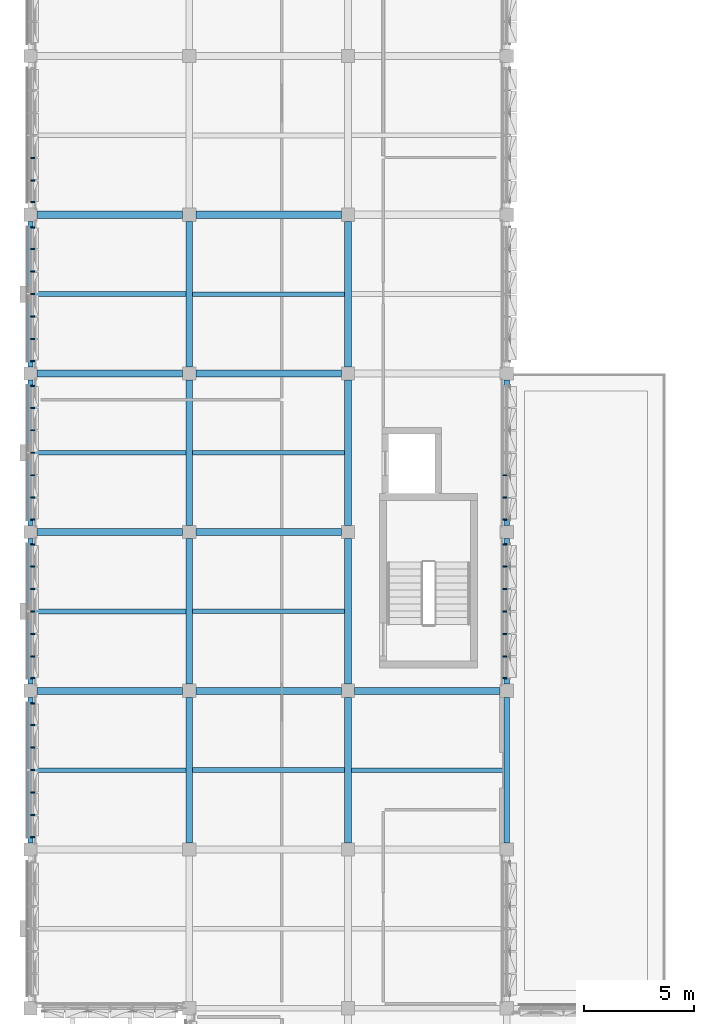
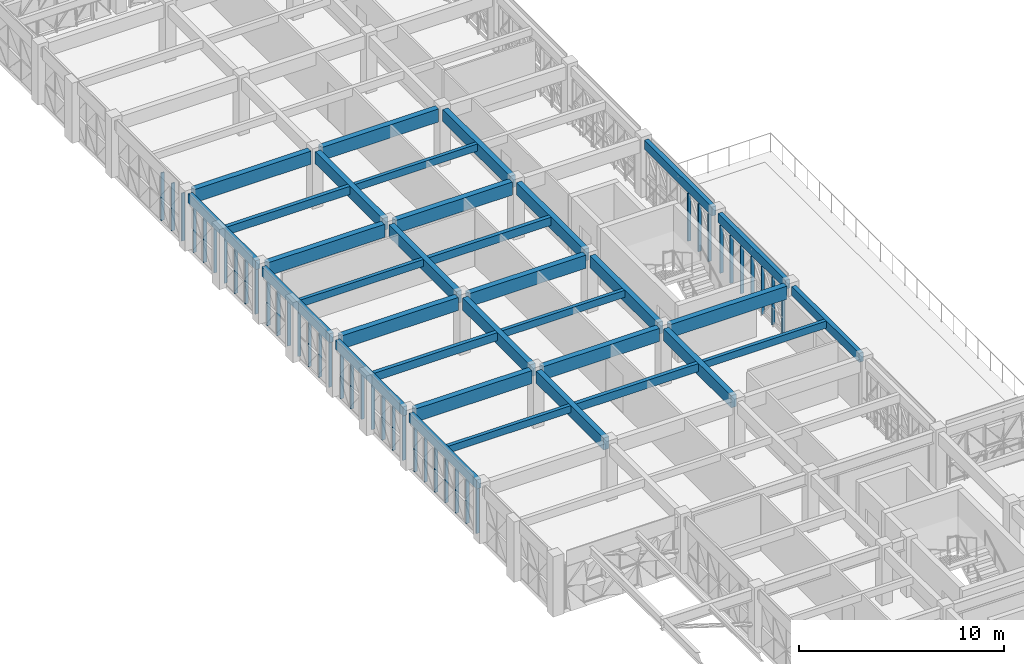
# One storey, part 15 of 99: 41 members, 33 beams, 7 elements without a shape of their own.
"""IFC4 building model written with IfcOpenShell, lengths in metres."""

from ifc_helpers import new_model, si_unit, direction, frame, origin, origin_2d, place, context, subcontext, project, spatial, rectangle, extrude, material, material_profile, profile_set, type_object, element, aggregate, save


model = new_model("IFC4")

# Units and contexts
model_context = context("Model", 3, precision=1e-05, world=origin(), true_north=direction((0.0, 1.0)))
body_context = subcontext(model_context, "Body", "Model", "MODEL_VIEW")
ifc_project = project(units=[si_unit("LENGTHUNIT", "METRE"), si_unit("AREAUNIT", "SQUARE_METRE"), si_unit("VOLUMEUNIT", "CUBIC_METRE"), si_unit("PLANEANGLEUNIT", "RADIAN"), si_unit("MASSUNIT", "GRAM", prefix="KILO")], contexts=[model_context])

# Site, building, storey
site_placement = place(None, origin())
site = spatial("IfcSite", under=ifc_project, at=site_placement, CompositionType="ELEMENT")
building_placement = place(site_placement, origin())
building = spatial("IfcBuilding", under=site, at=building_placement, Name="Alvorim Cloister Faculty of Sciences", CompositionType="ELEMENT")
storey_placement = place(building_placement, frame((0.0, 0.0, 12.14990234375)))
storey = spatial("IfcBuildingStorey", under=building, at=storey_placement, Name="L03", CompositionType="ELEMENT", Elevation=12.14990234375)

# Beams
ifc_material_1 = material(Name="Glulam GL32h", Category="wood")
ifc_material_profile_1 = material_profile(ifc_material_1, rectangle(XDim=0.300048828125, YDim=0.719970703125, at=origin_2d()), Name="GL32-BM-300x720")
ifc_profile_set_1 = profile_set([ifc_material_profile_1], Name="Glulam GL32h")
beam_type_1 = type_object("IfcBeamType", Name="BM-GL-300x720", PredefinedType="BEAM", material=ifc_profile_set_1)
beam_1_placement = place(storey_placement, frame((7.199951171875, 63.89990234375, 3.030029296875), z_axis=(0.0, 1.0, 0.0), x_axis=(-1.0, 0.0, 0.0)))
element("IfcBeam", 1, at=beam_1_placement, inside=storey, type_object=beam_type_1, Name="L03 Primary Girder BM-1595", PredefinedType="BEAM", context=body_context, shape_type="SweptSolid", body=[
    extrude(rectangle(XDim=0.300048828125, YDim=0.719970703125, at=origin_2d()), origin(), (0.0, 0.0, 1.0), 6.60009765625),
])
for number, where, z_axis, x_axis, name in (
    (2, (7.199951171875, 71.10009765625, 3.030029296875), (0.0, 1.0, 0.0), (-1.0, 0.0, 0.0), "L03 Primary Girder BM-1596"),
    (3, (7.199951171875, 78.300048828125, 3.030029296875), (0.0, 1.0, 0.0), (-1.0, 0.0, 0.0), "L03 Primary Girder BM-1597"),
):
    element("IfcBeam", number, at=place(storey_placement, frame(where, z_axis=z_axis, x_axis=x_axis)), inside=storey, type_object=beam_type_1, Name=name, PredefinedType="BEAM", context=body_context, shape_type="SweptSolid", body=[
        extrude(rectangle(XDim=0.300048828125, YDim=0.719970703125, at=origin_2d()), origin(), (0.0, 0.0, 1.0), 6.599853515625),
    ])
for number, where, z_axis, x_axis, name in (
    (4, (7.199951171875, 85.5, 3.030029296875), (0.0, 1.0, 0.0), (-1.0, 0.0, 0.0), "L03 Primary Girder BM-1598"),
    (5, (14.39990234375, 63.89990234375, 3.030029296875), (0.0, 1.0, 0.0), (-1.0, 0.0, 0.0), "L03 Primary Girder BM-1611"),
):
    element("IfcBeam", number, at=place(storey_placement, frame(where, z_axis=z_axis, x_axis=x_axis)), inside=storey, type_object=beam_type_1, Name=name, PredefinedType="BEAM", context=body_context, shape_type="SweptSolid", body=[
        extrude(rectangle(XDim=0.300048828125, YDim=0.719970703125, at=origin_2d()), origin(), (0.0, 0.0, 1.0), 6.60009765625),
    ])
for number, where, z_axis, x_axis, name in (
    (6, (14.39990234375, 71.10009765625, 3.030029296875), (0.0, 1.0, 0.0), (-1.0, 0.0, 0.0), "L03 Primary Girder BM-1612"),
    (7, (14.39990234375, 78.300048828125, 3.030029296875), (0.0, 1.0, 0.0), (-1.0, 0.0, 0.0), "L03 Primary Girder BM-1613"),
):
    element("IfcBeam", number, at=place(storey_placement, frame(where, z_axis=z_axis, x_axis=x_axis)), inside=storey, type_object=beam_type_1, Name=name, PredefinedType="BEAM", context=body_context, shape_type="SweptSolid", body=[
        extrude(rectangle(XDim=0.300048828125, YDim=0.719970703125, at=origin_2d()), origin(), (0.0, 0.0, 1.0), 6.599853515625),
    ])
beam_2_placement = place(storey_placement, frame((14.39990234375, 85.5, 3.030029296875), z_axis=(0.0, 1.0, 0.0), x_axis=(-1.0, 0.0, 0.0)))
element("IfcBeam", 8, at=beam_2_placement, inside=storey, type_object=beam_type_1, Name="L03 Primary Girder BM-1614", PredefinedType="BEAM", context=body_context, shape_type="SweptSolid", body=[
    extrude(rectangle(XDim=0.300048828125, YDim=0.719970703125, at=origin_2d()), origin(), (0.0, 0.0, 1.0), 6.60009765625),
])
ifc_material_profile_2 = material_profile(ifc_material_1, rectangle(XDim=0.320068359375, YDim=0.780029296875, at=origin_2d()), Name="GL32-BM-320x780")
ifc_profile_set_2 = profile_set([ifc_material_profile_2], Name="Glulam GL32h")
beam_type_2 = type_object("IfcBeamType", Name="BM-GL-320x780", PredefinedType="BEAM", material=ifc_profile_set_2)
beam_3_placement = place(storey_placement, frame((0.300048828125, 70.800048828125, 3.0), z_axis=(1.0, 0.0, 0.0), x_axis=(0.0, 1.0, 0.0)))
element("IfcBeam", 9, at=beam_3_placement, inside=storey, type_object=beam_type_2, Name="L03 Primary Beam BM-1556", PredefinedType="BEAM", context=body_context, shape_type="SweptSolid", body=[
    extrude(rectangle(XDim=0.320068359375, YDim=0.780029296875, at=origin_2d()), origin(), (0.0, 0.0, 1.0), 6.599853515625),
])
for number, where, z_axis, x_axis, name in (
    (10, (7.5, 70.800048828125, 3.0), (1.0, 0.0, 0.0), (0.0, 1.0, 0.0), "L03 Primary Beam BM-1557"),
    (11, (14.699951171875, 70.800048828125, 3.0), (1.0, 0.0, 0.0), (0.0, 1.0, 0.0), "L03 Primary Beam BM-1558"),
):
    element("IfcBeam", number, at=place(storey_placement, frame(where, z_axis=z_axis, x_axis=x_axis)), inside=storey, type_object=beam_type_2, Name=name, PredefinedType="BEAM", context=body_context, shape_type="SweptSolid", body=[
        extrude(rectangle(XDim=0.320068359375, YDim=0.780029296875, at=origin_2d()), origin(), (0.0, 0.0, 1.0), 6.60009765625),
    ])
beam_4_placement = place(storey_placement, frame((0.300048828125, 78.0, 3.0), z_axis=(1.0, 0.0, 0.0), x_axis=(0.0, 1.0, 0.0)))
element("IfcBeam", 12, at=beam_4_placement, inside=storey, type_object=beam_type_2, Name="L03 Primary Beam BM-1559", PredefinedType="BEAM", context=body_context, shape_type="SweptSolid", body=[
    extrude(rectangle(XDim=0.320068359375, YDim=0.780029296875, at=origin_2d()), origin(), (0.0, 0.0, 1.0), 6.599853515625),
])
beam_5_placement = place(storey_placement, frame((7.5, 78.0, 3.0), z_axis=(1.0, 0.0, 0.0), x_axis=(0.0, 1.0, 0.0)))
element("IfcBeam", 13, at=beam_5_placement, inside=storey, type_object=beam_type_2, Name="L03 Primary Beam BM-1560", PredefinedType="BEAM", context=body_context, shape_type="SweptSolid", body=[
    extrude(rectangle(XDim=0.320068359375, YDim=0.780029296875, at=origin_2d()), origin(), (0.0, 0.0, 1.0), 6.60009765625),
])
beam_6_placement = place(storey_placement, frame((0.300048828125, 85.199951171875, 3.0), z_axis=(1.0, 0.0, 0.0), x_axis=(0.0, 1.0, 0.0)))
element("IfcBeam", 14, at=beam_6_placement, inside=storey, type_object=beam_type_2, Name="L03 Primary Beam BM-1561", PredefinedType="BEAM", context=body_context, shape_type="SweptSolid", body=[
    extrude(rectangle(XDim=0.320068359375, YDim=0.780029296875, at=origin_2d()), origin(), (0.0, 0.0, 1.0), 6.599853515625),
])
beam_7_placement = place(storey_placement, frame((7.5, 85.199951171875, 3.0), z_axis=(1.0, 0.0, 0.0), x_axis=(0.0, 1.0, 0.0)))
element("IfcBeam", 15, at=beam_7_placement, inside=storey, type_object=beam_type_2, Name="L03 Primary Beam BM-1562", PredefinedType="BEAM", context=body_context, shape_type="SweptSolid", body=[
    extrude(rectangle(XDim=0.320068359375, YDim=0.780029296875, at=origin_2d()), origin(), (0.0, 0.0, 1.0), 6.60009765625),
])
beam_8_placement = place(storey_placement, frame((0.300048828125, 92.39990234375, 3.0), z_axis=(1.0, 0.0, 0.0), x_axis=(0.0, 1.0, 0.0)))
element("IfcBeam", 16, at=beam_8_placement, inside=storey, type_object=beam_type_2, Name="L03 Primary Beam BM-1564", PredefinedType="BEAM", context=body_context, shape_type="SweptSolid", body=[
    extrude(rectangle(XDim=0.320068359375, YDim=0.780029296875, at=origin_2d()), origin(), (0.0, 0.0, 1.0), 6.599853515625),
])
beam_9_placement = place(storey_placement, frame((7.5, 92.39990234375, 3.0), z_axis=(1.0, 0.0, 0.0), x_axis=(0.0, 1.0, 0.0)))
element("IfcBeam", 17, at=beam_9_placement, inside=storey, type_object=beam_type_2, Name="L03 Primary Beam BM-1565", PredefinedType="BEAM", context=body_context, shape_type="SweptSolid", body=[
    extrude(rectangle(XDim=0.320068359375, YDim=0.780029296875, at=origin_2d()), origin(), (0.0, 0.0, 1.0), 6.60009765625),
])
ifc_material_2 = material(Name="Glulam GL28h", Category="wood")
ifc_material_profile_3 = material_profile(ifc_material_2, rectangle(XDim=0.199951171875, YDim=0.419921875, at=origin_2d()), Name="GL28-JST-200x420")
ifc_profile_set_3 = profile_set([ifc_material_profile_3], Name="Glulam GL28h")
beam_type_3 = type_object("IfcBeamType", Name="BM-JST-GL-200x420", PredefinedType="JOIST", material=ifc_profile_set_3)
for number, where, z_axis, x_axis, name in (
    (18, (0.1201171875, 67.199951171875, 3.18017578125), (1.0, 0.0, 0.0), (0.0, 1.0, 0.0), "L03 Secondary Floor Joist BM-1669"),
    (19, (0.1201171875, 81.60009765625, 3.18017578125), (1.0, 0.0, 0.0), (0.0, 1.0, 0.0), "L03 Secondary Floor Joist BM-1671"),
):
    element("IfcBeam", number, at=place(storey_placement, frame(where, z_axis=z_axis, x_axis=x_axis)), inside=storey, type_object=beam_type_3, Name=name, PredefinedType="JOIST", context=body_context, shape_type="SweptSolid", body=[
        extrude(rectangle(XDim=0.199951171875, YDim=0.419921875, at=origin_2d()), origin(), (0.0, 0.0, 1.0), 6.929931640625),
    ])
for number, where, z_axis, x_axis, name in (
    (20, (7.35009765625, 74.39990234375, 3.18017578125), (1.0, 0.0, 0.0), (0.0, 1.0, 0.0), "L03 Secondary Floor Joist BM-1686"),
    (21, (7.35009765625, 88.800048828125, 3.18017578125), (1.0, 0.0, 0.0), (0.0, 1.0, 0.0), "L03 Secondary Floor Joist BM-1688"),
):
    element("IfcBeam", number, at=place(storey_placement, frame(where, z_axis=z_axis, x_axis=x_axis)), inside=storey, type_object=beam_type_3, Name=name, PredefinedType="JOIST", context=body_context, shape_type="SweptSolid", body=[
        extrude(rectangle(XDim=0.199951171875, YDim=0.419921875, at=origin_2d()), origin(), (0.0, 0.0, 1.0), 6.89990234375),
    ])
beam_10_placement = place(storey_placement, frame((14.550048828125, 67.199951171875, 3.18017578125), z_axis=(1.0, 0.0, 0.0), x_axis=(0.0, 1.0, 0.0)))
element("IfcBeam", 22, at=beam_10_placement, inside=storey, type_object=beam_type_3, Name="L03 Secondary Floor Joist BM-1695", PredefinedType="JOIST", context=body_context, shape_type="SweptSolid", body=[
    extrude(rectangle(XDim=0.199951171875, YDim=0.419921875, at=origin_2d()), origin(), (0.0, 0.0, 1.0), 6.929931640625),
])
ifc_material_profile_4 = material_profile(ifc_material_2, rectangle(XDim=0.219970703125, YDim=0.47998046875, at=origin_2d()), Name="GL28-JST-220x480")
ifc_profile_set_4 = profile_set([ifc_material_profile_4], Name="Glulam GL28h")
beam_type_4 = type_object("IfcBeamType", Name="BM-JST-GL-220x480", PredefinedType="JOIST", material=ifc_profile_set_4)
for number, where, z_axis, x_axis, name in (
    (23, (0.1201171875, 74.39990234375, 3.150146484375), (1.0, 0.0, 0.0), (0.0, 1.0, 0.0), "L03 Secondary Floor Joist BM-1670"),
    (24, (0.1201171875, 88.800048828125, 3.150146484375), (1.0, 0.0, 0.0), (0.0, 1.0, 0.0), "L03 Secondary Floor Joist BM-1672"),
):
    element("IfcBeam", number, at=place(storey_placement, frame(where, z_axis=z_axis, x_axis=x_axis)), inside=storey, type_object=beam_type_4, Name=name, PredefinedType="JOIST", context=body_context, shape_type="SweptSolid", body=[
        extrude(rectangle(XDim=0.219970703125, YDim=0.47998046875, at=origin_2d()), origin(), (0.0, 0.0, 1.0), 6.929931640625),
    ])
for number, where, z_axis, x_axis, name in (
    (25, (7.35009765625, 67.199951171875, 3.150146484375), (1.0, 0.0, 0.0), (0.0, 1.0, 0.0), "L03 Secondary Floor Joist BM-1685"),
    (26, (7.35009765625, 81.60009765625, 3.150146484375), (1.0, 0.0, 0.0), (0.0, 1.0, 0.0), "L03 Secondary Floor Joist BM-1687"),
):
    element("IfcBeam", number, at=place(storey_placement, frame(where, z_axis=z_axis, x_axis=x_axis)), inside=storey, type_object=beam_type_4, Name=name, PredefinedType="JOIST", context=body_context, shape_type="SweptSolid", body=[
        extrude(rectangle(XDim=0.219970703125, YDim=0.47998046875, at=origin_2d()), origin(), (0.0, 0.0, 1.0), 6.89990234375),
    ])
ifc_material_profile_5 = material_profile(ifc_material_2, rectangle(XDim=0.239990234375, YDim=0.5400390625, at=origin_2d()), Name="GL28-SPD-240x540")
ifc_profile_set_5 = profile_set([ifc_material_profile_5], Name="Glulam GL28h")
beam_type_5 = type_object("IfcBeamType", Name="BM-SPD-GL-240x540", PredefinedType="SPANDREL", material=ifc_profile_set_5)
beam_11_placement = place(storey_placement, frame((0.0, 63.89990234375, 3.1201171875), z_axis=(0.0, 1.0, 0.0), x_axis=(-1.0, 0.0, 0.0)))
element("IfcBeam", 27, at=beam_11_placement, inside=storey, type_object=beam_type_5, Name="L03 Primary Girder BM-1579", PredefinedType="SPANDREL", context=body_context, shape_type="SweptSolid", body=[
    extrude(rectangle(XDim=0.239990234375, YDim=0.5400390625, at=origin_2d()), origin(), (0.0, 0.0, 1.0), 6.60009765625),
])
for number, where, z_axis, x_axis, name in (
    (28, (0.0, 71.10009765625, 3.1201171875), (0.0, 1.0, 0.0), (-1.0, 0.0, 0.0), "L03 Primary Girder BM-1580"),
    (29, (0.0, 78.300048828125, 3.1201171875), (0.0, 1.0, 0.0), (-1.0, 0.0, 0.0), "L03 Primary Girder BM-1581"),
):
    element("IfcBeam", number, at=place(storey_placement, frame(where, z_axis=z_axis, x_axis=x_axis)), inside=storey, type_object=beam_type_5, Name=name, PredefinedType="SPANDREL", context=body_context, shape_type="SweptSolid", body=[
        extrude(rectangle(XDim=0.239990234375, YDim=0.5400390625, at=origin_2d()), origin(), (0.0, 0.0, 1.0), 6.599853515625),
    ])
for number, where, z_axis, x_axis, name in (
    (30, (0.0, 85.5, 3.1201171875), (0.0, 1.0, 0.0), (-1.0, 0.0, 0.0), "L03 Primary Girder BM-1582"),
    (31, (21.60009765625, 63.89990234375, 3.1201171875), (0.0, 1.0, 0.0), (-1.0, 0.0, 0.0), "L03 Primary Girder BM-1627"),
):
    element("IfcBeam", number, at=place(storey_placement, frame(where, z_axis=z_axis, x_axis=x_axis)), inside=storey, type_object=beam_type_5, Name=name, PredefinedType="SPANDREL", context=body_context, shape_type="SweptSolid", body=[
        extrude(rectangle(XDim=0.239990234375, YDim=0.5400390625, at=origin_2d()), origin(), (0.0, 0.0, 1.0), 6.60009765625),
    ])
for number, where, z_axis, x_axis, name in (
    (32, (21.60009765625, 71.10009765625, 3.1201171875), (0.0, 1.0, 0.0), (-1.0, 0.0, 0.0), "L03 Primary Girder BM-1628"),
    (33, (21.60009765625, 78.300048828125, 3.1201171875), (0.0, 1.0, 0.0), (-1.0, 0.0, 0.0), "L03 Primary Girder BM-1629"),
):
    element("IfcBeam", number, at=place(storey_placement, frame(where, z_axis=z_axis, x_axis=x_axis)), inside=storey, type_object=beam_type_5, Name=name, PredefinedType="SPANDREL", context=body_context, shape_type="SweptSolid", body=[
        extrude(rectangle(XDim=0.239990234375, YDim=0.5400390625, at=origin_2d()), origin(), (0.0, 0.0, 1.0), 6.599853515625),
    ])

# Curtain wall, members
ifc_material_3 = material(Name="Aluminium and Low-E Glass Curtain Wall", Category="aluminium")
curtain_wall_type = type_object("IfcCurtainWallType", Name="CW-TRI-6120x2850", PredefinedType="USERDEFINED", material=ifc_material_3)
curtain_wall_1_placement = place(storey_placement, origin())
curtain_wall_1 = element("IfcCurtainWall", 34, at=curtain_wall_1_placement, inside=storey, type_object=curtain_wall_type, Name="L03 Diagonal Cassette Curtain Wall CW-0107", ObjectType="UNITISED CURTAIN WALL", PredefinedType="USERDEFINED")
ifc_material_4 = material(Name="Aluminium Alloy 6063-T6", Category="aluminium")
ifc_material_profile_6 = material_profile(ifc_material_4, rectangle(XDim=0.06494140625, YDim=0.179931640625, at=origin_2d()), Name="ALU-MUL-65x180")
ifc_profile_set_6 = profile_set([ifc_material_profile_6], Name="Aluminium Alloy 6063-T6")
member_type = type_object("IfcMemberType", Name="CW-MUL-65x180", PredefinedType="MULLION", material=ifc_profile_set_6)
member_1_placement = place(storey_placement, frame((0.090087890625, 64.172607421875, 0.0), z_axis=(0.0, 0.0, 1.0), x_axis=(0.0, 1.0, 0.0)))
member_1 = element("IfcMember", 35, at=member_1_placement, type_object=member_type, Name="CW-0107 Mullion 1", PredefinedType="MULLION", context=body_context, shape_type="SweptSolid", body=[
    extrude(rectangle(XDim=0.06494140625, YDim=0.179931640625, at=origin_2d()), origin(), (0.0, 0.0, 1.0), 2.85009765625),
])
member_2_placement = place(storey_placement, frame((0.090087890625, 65.159912109375, 0.0), z_axis=(0.0, 0.0, 1.0), x_axis=(0.0, 1.0, 0.0)))
member_2 = element("IfcMember", 36, at=member_2_placement, type_object=member_type, Name="CW-0107 Mullion 2", PredefinedType="MULLION", context=body_context, shape_type="SweptSolid", body=[
    extrude(rectangle(XDim=0.06494140625, YDim=0.179931640625, at=origin_2d()), origin(), (0.0, 0.0, 1.0), 2.85009765625),
])
member_3_placement = place(storey_placement, frame((0.090087890625, 66.179931640625, 0.0), z_axis=(0.0, 0.0, 1.0), x_axis=(0.0, 1.0, 0.0)))
member_3 = element("IfcMember", 37, at=member_3_placement, type_object=member_type, Name="CW-0107 Mullion 3", PredefinedType="MULLION", context=body_context, shape_type="SweptSolid", body=[
    extrude(rectangle(XDim=0.06494140625, YDim=0.179931640625, at=origin_2d()), origin(), (0.0, 0.0, 1.0), 2.85009765625),
])
member_4_placement = place(storey_placement, frame((0.090087890625, 67.199951171875, 0.0), z_axis=(0.0, 0.0, 1.0), x_axis=(0.0, 1.0, 0.0)))
member_4 = element("IfcMember", 38, at=member_4_placement, type_object=member_type, Name="CW-0107 Mullion 4", PredefinedType="MULLION", context=body_context, shape_type="SweptSolid", body=[
    extrude(rectangle(XDim=0.06494140625, YDim=0.179931640625, at=origin_2d()), origin(), (0.0, 0.0, 1.0), 2.85009765625),
])
member_5_placement = place(storey_placement, frame((0.090087890625, 68.219970703125, 0.0), z_axis=(0.0, 0.0, 1.0), x_axis=(0.0, 1.0, 0.0)))
member_5 = element("IfcMember", 39, at=member_5_placement, type_object=member_type, Name="CW-0107 Mullion 5", PredefinedType="MULLION", context=body_context, shape_type="SweptSolid", body=[
    extrude(rectangle(XDim=0.06494140625, YDim=0.179931640625, at=origin_2d()), origin(), (0.0, 0.0, 1.0), 2.85009765625),
])
member_6_placement = place(storey_placement, frame((0.090087890625, 69.239990234375, 0.0), z_axis=(0.0, 0.0, 1.0), x_axis=(0.0, 1.0, 0.0)))
member_6 = element("IfcMember", 40, at=member_6_placement, type_object=member_type, Name="CW-0107 Mullion 6", PredefinedType="MULLION", context=body_context, shape_type="SweptSolid", body=[
    extrude(rectangle(XDim=0.06494140625, YDim=0.179931640625, at=origin_2d()), origin(), (0.0, 0.0, 1.0), 2.85009765625),
])
member_7_placement = place(storey_placement, frame((0.090087890625, 70.2275390625, 0.0), z_axis=(0.0, 0.0, 1.0), x_axis=(0.0, 1.0, 0.0)))
member_7 = element("IfcMember", 41, at=member_7_placement, type_object=member_type, Name="CW-0107 Mullion 7", PredefinedType="MULLION", context=body_context, shape_type="SweptSolid", body=[
    extrude(rectangle(XDim=0.06494140625, YDim=0.179931640625, at=origin_2d()), origin(), (0.0, 0.0, 1.0), 2.85009765625),
])
aggregate(curtain_wall_1, [member_1, member_2, member_3, member_4, member_5, member_6, member_7])

curtain_wall_2_placement = place(storey_placement, origin())
curtain_wall_2 = element("IfcCurtainWall", 42, at=curtain_wall_2_placement, inside=storey, type_object=curtain_wall_type, Name="L03 Diagonal Cassette Curtain Wall CW-0108", ObjectType="UNITISED CURTAIN WALL", PredefinedType="USERDEFINED")
member_8_placement = place(storey_placement, frame((0.090087890625, 71.37255859375, 0.0), z_axis=(0.0, 0.0, 1.0), x_axis=(0.0, 1.0, 0.0)))
member_8 = element("IfcMember", 43, at=member_8_placement, type_object=member_type, Name="CW-0108 Mullion 1", PredefinedType="MULLION", context=body_context, shape_type="SweptSolid", body=[
    extrude(rectangle(XDim=0.06494140625, YDim=0.179931640625, at=origin_2d()), origin(), (0.0, 0.0, 1.0), 2.85009765625),
])
member_9_placement = place(storey_placement, frame((0.090087890625, 72.360107421875, 0.0), z_axis=(0.0, 0.0, 1.0), x_axis=(0.0, 1.0, 0.0)))
member_9 = element("IfcMember", 44, at=member_9_placement, type_object=member_type, Name="CW-0108 Mullion 2", PredefinedType="MULLION", context=body_context, shape_type="SweptSolid", body=[
    extrude(rectangle(XDim=0.06494140625, YDim=0.179931640625, at=origin_2d()), origin(), (0.0, 0.0, 1.0), 2.85009765625),
])
member_10_placement = place(storey_placement, frame((0.090087890625, 73.3798828125, 0.0), z_axis=(0.0, 0.0, 1.0), x_axis=(0.0, 1.0, 0.0)))
member_10 = element("IfcMember", 45, at=member_10_placement, type_object=member_type, Name="CW-0108 Mullion 3", PredefinedType="MULLION", context=body_context, shape_type="SweptSolid", body=[
    extrude(rectangle(XDim=0.06494140625, YDim=0.179931640625, at=origin_2d()), origin(), (0.0, 0.0, 1.0), 2.85009765625),
])
member_11_placement = place(storey_placement, frame((0.090087890625, 74.39990234375, 0.0), z_axis=(0.0, 0.0, 1.0), x_axis=(0.0, 1.0, 0.0)))
member_11 = element("IfcMember", 46, at=member_11_placement, type_object=member_type, Name="CW-0108 Mullion 4", PredefinedType="MULLION", context=body_context, shape_type="SweptSolid", body=[
    extrude(rectangle(XDim=0.06494140625, YDim=0.179931640625, at=origin_2d()), origin(), (0.0, 0.0, 1.0), 2.85009765625),
])
member_12_placement = place(storey_placement, frame((0.090087890625, 75.419921875, 0.0), z_axis=(0.0, 0.0, 1.0), x_axis=(0.0, 1.0, 0.0)))
member_12 = element("IfcMember", 47, at=member_12_placement, type_object=member_type, Name="CW-0108 Mullion 5", PredefinedType="MULLION", context=body_context, shape_type="SweptSolid", body=[
    extrude(rectangle(XDim=0.06494140625, YDim=0.179931640625, at=origin_2d()), origin(), (0.0, 0.0, 1.0), 2.85009765625),
])
member_13_placement = place(storey_placement, frame((0.090087890625, 76.43994140625, 0.0), z_axis=(0.0, 0.0, 1.0), x_axis=(0.0, 1.0, 0.0)))
member_13 = element("IfcMember", 48, at=member_13_placement, type_object=member_type, Name="CW-0108 Mullion 6", PredefinedType="MULLION", context=body_context, shape_type="SweptSolid", body=[
    extrude(rectangle(XDim=0.06494140625, YDim=0.179931640625, at=origin_2d()), origin(), (0.0, 0.0, 1.0), 2.85009765625),
])
member_14_placement = place(storey_placement, frame((0.090087890625, 77.427490234375, 0.0), z_axis=(0.0, 0.0, 1.0), x_axis=(0.0, 1.0, 0.0)))
member_14 = element("IfcMember", 49, at=member_14_placement, type_object=member_type, Name="CW-0108 Mullion 7", PredefinedType="MULLION", context=body_context, shape_type="SweptSolid", body=[
    extrude(rectangle(XDim=0.06494140625, YDim=0.179931640625, at=origin_2d()), origin(), (0.0, 0.0, 1.0), 2.85009765625),
])
aggregate(curtain_wall_2, [member_8, member_9, member_10, member_11, member_12, member_13, member_14])

curtain_wall_3_placement = place(storey_placement, origin())
curtain_wall_3 = element("IfcCurtainWall", 50, at=curtain_wall_3_placement, inside=storey, type_object=curtain_wall_type, Name="L03 Diagonal Cassette Curtain Wall CW-0109", ObjectType="UNITISED CURTAIN WALL", PredefinedType="USERDEFINED")
member_15_placement = place(storey_placement, frame((0.090087890625, 78.572509765625, 0.0), z_axis=(0.0, 0.0, 1.0), x_axis=(0.0, 1.0, 0.0)))
member_15 = element("IfcMember", 51, at=member_15_placement, type_object=member_type, Name="CW-0109 Mullion 1", PredefinedType="MULLION", context=body_context, shape_type="SweptSolid", body=[
    extrude(rectangle(XDim=0.06494140625, YDim=0.179931640625, at=origin_2d()), origin(), (0.0, 0.0, 1.0), 2.85009765625),
])
member_16_placement = place(storey_placement, frame((0.090087890625, 79.56005859375, 0.0), z_axis=(0.0, 0.0, 1.0), x_axis=(0.0, 1.0, 0.0)))
member_16 = element("IfcMember", 52, at=member_16_placement, type_object=member_type, Name="CW-0109 Mullion 2", PredefinedType="MULLION", context=body_context, shape_type="SweptSolid", body=[
    extrude(rectangle(XDim=0.06494140625, YDim=0.179931640625, at=origin_2d()), origin(), (0.0, 0.0, 1.0), 2.85009765625),
])
member_17_placement = place(storey_placement, frame((0.090087890625, 80.580078125, 0.0), z_axis=(0.0, 0.0, 1.0), x_axis=(0.0, 1.0, 0.0)))
member_17 = element("IfcMember", 53, at=member_17_placement, type_object=member_type, Name="CW-0109 Mullion 3", PredefinedType="MULLION", context=body_context, shape_type="SweptSolid", body=[
    extrude(rectangle(XDim=0.06494140625, YDim=0.179931640625, at=origin_2d()), origin(), (0.0, 0.0, 1.0), 2.85009765625),
])
member_18_placement = place(storey_placement, frame((0.090087890625, 81.60009765625, 0.0), z_axis=(0.0, 0.0, 1.0), x_axis=(0.0, 1.0, 0.0)))
member_18 = element("IfcMember", 54, at=member_18_placement, type_object=member_type, Name="CW-0109 Mullion 4", PredefinedType="MULLION", context=body_context, shape_type="SweptSolid", body=[
    extrude(rectangle(XDim=0.06494140625, YDim=0.179931640625, at=origin_2d()), origin(), (0.0, 0.0, 1.0), 2.85009765625),
])
member_19_placement = place(storey_placement, frame((0.090087890625, 82.6201171875, 0.0), z_axis=(0.0, 0.0, 1.0), x_axis=(0.0, 1.0, 0.0)))
member_19 = element("IfcMember", 55, at=member_19_placement, type_object=member_type, Name="CW-0109 Mullion 5", PredefinedType="MULLION", context=body_context, shape_type="SweptSolid", body=[
    extrude(rectangle(XDim=0.06494140625, YDim=0.179931640625, at=origin_2d()), origin(), (0.0, 0.0, 1.0), 2.85009765625),
])
member_20_placement = place(storey_placement, frame((0.090087890625, 83.639892578125, 0.0), z_axis=(0.0, 0.0, 1.0), x_axis=(0.0, 1.0, 0.0)))
member_20 = element("IfcMember", 56, at=member_20_placement, type_object=member_type, Name="CW-0109 Mullion 6", PredefinedType="MULLION", context=body_context, shape_type="SweptSolid", body=[
    extrude(rectangle(XDim=0.06494140625, YDim=0.179931640625, at=origin_2d()), origin(), (0.0, 0.0, 1.0), 2.85009765625),
])
member_21_placement = place(storey_placement, frame((0.090087890625, 84.62744140625, 0.0), z_axis=(0.0, 0.0, 1.0), x_axis=(0.0, 1.0, 0.0)))
member_21 = element("IfcMember", 57, at=member_21_placement, type_object=member_type, Name="CW-0109 Mullion 7", PredefinedType="MULLION", context=body_context, shape_type="SweptSolid", body=[
    extrude(rectangle(XDim=0.06494140625, YDim=0.179931640625, at=origin_2d()), origin(), (0.0, 0.0, 1.0), 2.85009765625),
])
aggregate(curtain_wall_3, [member_15, member_16, member_17, member_18, member_19, member_20, member_21])

curtain_wall_4_placement = place(storey_placement, origin())
curtain_wall_4 = element("IfcCurtainWall", 58, at=curtain_wall_4_placement, inside=storey, type_object=curtain_wall_type, Name="L03 Diagonal Cassette Curtain Wall CW-0110", ObjectType="UNITISED CURTAIN WALL", PredefinedType="USERDEFINED")
member_22_placement = place(storey_placement, frame((0.090087890625, 85.7724609375, 0.0), z_axis=(0.0, 0.0, 1.0), x_axis=(0.0, 1.0, 0.0)))
member_22 = element("IfcMember", 59, at=member_22_placement, type_object=member_type, Name="CW-0110 Mullion 1", PredefinedType="MULLION", context=body_context, shape_type="SweptSolid", body=[
    extrude(rectangle(XDim=0.06494140625, YDim=0.179931640625, at=origin_2d()), origin(), (0.0, 0.0, 1.0), 2.85009765625),
])
member_23_placement = place(storey_placement, frame((0.090087890625, 86.760009765625, 0.0), z_axis=(0.0, 0.0, 1.0), x_axis=(0.0, 1.0, 0.0)))
member_23 = element("IfcMember", 60, at=member_23_placement, type_object=member_type, Name="CW-0110 Mullion 2", PredefinedType="MULLION", context=body_context, shape_type="SweptSolid", body=[
    extrude(rectangle(XDim=0.06494140625, YDim=0.179931640625, at=origin_2d()), origin(), (0.0, 0.0, 1.0), 2.85009765625),
])
member_24_placement = place(storey_placement, frame((0.090087890625, 87.780029296875, 0.0), z_axis=(0.0, 0.0, 1.0), x_axis=(0.0, 1.0, 0.0)))
member_24 = element("IfcMember", 61, at=member_24_placement, type_object=member_type, Name="CW-0110 Mullion 3", PredefinedType="MULLION", context=body_context, shape_type="SweptSolid", body=[
    extrude(rectangle(XDim=0.06494140625, YDim=0.179931640625, at=origin_2d()), origin(), (0.0, 0.0, 1.0), 2.85009765625),
])
member_25_placement = place(storey_placement, frame((0.090087890625, 88.800048828125, 0.0), z_axis=(0.0, 0.0, 1.0), x_axis=(0.0, 1.0, 0.0)))
member_25 = element("IfcMember", 62, at=member_25_placement, type_object=member_type, Name="CW-0110 Mullion 4", PredefinedType="MULLION", context=body_context, shape_type="SweptSolid", body=[
    extrude(rectangle(XDim=0.06494140625, YDim=0.179931640625, at=origin_2d()), origin(), (0.0, 0.0, 1.0), 2.85009765625),
])
member_26_placement = place(storey_placement, frame((0.090087890625, 89.820068359375, 0.0), z_axis=(0.0, 0.0, 1.0), x_axis=(0.0, 1.0, 0.0)))
member_26 = element("IfcMember", 63, at=member_26_placement, type_object=member_type, Name="CW-0110 Mullion 5", PredefinedType="MULLION", context=body_context, shape_type="SweptSolid", body=[
    extrude(rectangle(XDim=0.06494140625, YDim=0.179931640625, at=origin_2d()), origin(), (0.0, 0.0, 1.0), 2.85009765625),
])
member_27_placement = place(storey_placement, frame((0.090087890625, 90.840087890625, 0.0), z_axis=(0.0, 0.0, 1.0), x_axis=(0.0, 1.0, 0.0)))
member_27 = element("IfcMember", 64, at=member_27_placement, type_object=member_type, Name="CW-0110 Mullion 6", PredefinedType="MULLION", context=body_context, shape_type="SweptSolid", body=[
    extrude(rectangle(XDim=0.06494140625, YDim=0.179931640625, at=origin_2d()), origin(), (0.0, 0.0, 1.0), 2.85009765625),
])
member_28_placement = place(storey_placement, frame((0.090087890625, 91.827392578125, 0.0), z_axis=(0.0, 0.0, 1.0), x_axis=(0.0, 1.0, 0.0)))
member_28 = element("IfcMember", 65, at=member_28_placement, type_object=member_type, Name="CW-0110 Mullion 7", PredefinedType="MULLION", context=body_context, shape_type="SweptSolid", body=[
    extrude(rectangle(XDim=0.06494140625, YDim=0.179931640625, at=origin_2d()), origin(), (0.0, 0.0, 1.0), 2.85009765625),
])
aggregate(curtain_wall_4, [member_22, member_23, member_24, member_25, member_26, member_27, member_28])

curtain_wall_5_placement = place(storey_placement, origin())
curtain_wall_5 = element("IfcCurtainWall", 66, at=curtain_wall_5_placement, inside=storey, type_object=curtain_wall_type, Name="L03 Diagonal Cassette Curtain Wall CW-0111", ObjectType="UNITISED CURTAIN WALL", PredefinedType="USERDEFINED")
member_29_placement = place(storey_placement, frame((0.090087890625, 92.972412109375, 0.0), z_axis=(0.0, 0.0, 1.0), x_axis=(0.0, 1.0, 0.0)))
member_29 = element("IfcMember", 67, at=member_29_placement, type_object=member_type, Name="CW-0111 Mullion 1", PredefinedType="MULLION", context=body_context, shape_type="SweptSolid", body=[
    extrude(rectangle(XDim=0.06494140625, YDim=0.179931640625, at=origin_2d()), origin(), (0.0, 0.0, 1.0), 2.85009765625),
])
member_30_placement = place(storey_placement, frame((0.090087890625, 93.9599609375, 0.0), z_axis=(0.0, 0.0, 1.0), x_axis=(0.0, 1.0, 0.0)))
member_30 = element("IfcMember", 68, at=member_30_placement, type_object=member_type, Name="CW-0111 Mullion 2", PredefinedType="MULLION", context=body_context, shape_type="SweptSolid", body=[
    extrude(rectangle(XDim=0.06494140625, YDim=0.179931640625, at=origin_2d()), origin(), (0.0, 0.0, 1.0), 2.85009765625),
])
member_31_placement = place(storey_placement, frame((0.090087890625, 94.97998046875, 0.0), z_axis=(0.0, 0.0, 1.0), x_axis=(0.0, 1.0, 0.0)))
member_31 = element("IfcMember", 69, at=member_31_placement, type_object=member_type, Name="CW-0111 Mullion 3", PredefinedType="MULLION", context=body_context, shape_type="SweptSolid", body=[
    extrude(rectangle(XDim=0.06494140625, YDim=0.179931640625, at=origin_2d()), origin(), (0.0, 0.0, 1.0), 2.85009765625),
])
aggregate(curtain_wall_5, [member_29, member_30, member_31])

curtain_wall_6_placement = place(storey_placement, origin())
curtain_wall_6 = element("IfcCurtainWall", 70, at=curtain_wall_6_placement, inside=storey, type_object=curtain_wall_type, Name="L03 Diagonal Cassette Curtain Wall CW-0121", ObjectType="UNITISED CURTAIN WALL", PredefinedType="USERDEFINED")
member_32_placement = place(storey_placement, frame((21.510009765625, 78.572509765625, 0.0), z_axis=(0.0, 0.0, 1.0), x_axis=(0.0, 1.0, 0.0)))
member_32 = element("IfcMember", 71, at=member_32_placement, type_object=member_type, Name="CW-0121 Mullion 1", PredefinedType="MULLION", context=body_context, shape_type="SweptSolid", body=[
    extrude(rectangle(XDim=0.06494140625, YDim=0.179931640625, at=origin_2d()), origin(), (0.0, 0.0, 1.0), 2.85009765625),
])
member_33_placement = place(storey_placement, frame((21.510009765625, 79.56005859375, 0.0), z_axis=(0.0, 0.0, 1.0), x_axis=(0.0, 1.0, 0.0)))
member_33 = element("IfcMember", 72, at=member_33_placement, type_object=member_type, Name="CW-0121 Mullion 2", PredefinedType="MULLION", context=body_context, shape_type="SweptSolid", body=[
    extrude(rectangle(XDim=0.06494140625, YDim=0.179931640625, at=origin_2d()), origin(), (0.0, 0.0, 1.0), 2.85009765625),
])
member_34_placement = place(storey_placement, frame((21.510009765625, 80.580078125, 0.0), z_axis=(0.0, 0.0, 1.0), x_axis=(0.0, 1.0, 0.0)))
member_34 = element("IfcMember", 73, at=member_34_placement, type_object=member_type, Name="CW-0121 Mullion 3", PredefinedType="MULLION", context=body_context, shape_type="SweptSolid", body=[
    extrude(rectangle(XDim=0.06494140625, YDim=0.179931640625, at=origin_2d()), origin(), (0.0, 0.0, 1.0), 2.85009765625),
])
aggregate(curtain_wall_6, [member_32, member_33, member_34])

curtain_wall_7_placement = place(storey_placement, origin())
curtain_wall_7 = element("IfcCurtainWall", 74, at=curtain_wall_7_placement, inside=storey, type_object=curtain_wall_type, Name="L03 Diagonal Cassette Curtain Wall CW-0122", ObjectType="UNITISED CURTAIN WALL", PredefinedType="USERDEFINED")
member_35_placement = place(storey_placement, frame((21.510009765625, 71.37255859375, 0.0), z_axis=(0.0, 0.0, 1.0), x_axis=(0.0, 1.0, 0.0)))
member_35 = element("IfcMember", 75, at=member_35_placement, type_object=member_type, Name="CW-0122 Mullion 1", PredefinedType="MULLION", context=body_context, shape_type="SweptSolid", body=[
    extrude(rectangle(XDim=0.06494140625, YDim=0.179931640625, at=origin_2d()), origin(), (0.0, 0.0, 1.0), 2.85009765625),
])
member_36_placement = place(storey_placement, frame((21.510009765625, 72.360107421875, 0.0), z_axis=(0.0, 0.0, 1.0), x_axis=(0.0, 1.0, 0.0)))
member_36 = element("IfcMember", 76, at=member_36_placement, type_object=member_type, Name="CW-0122 Mullion 2", PredefinedType="MULLION", context=body_context, shape_type="SweptSolid", body=[
    extrude(rectangle(XDim=0.06494140625, YDim=0.179931640625, at=origin_2d()), origin(), (0.0, 0.0, 1.0), 2.85009765625),
])
member_37_placement = place(storey_placement, frame((21.510009765625, 73.3798828125, 0.0), z_axis=(0.0, 0.0, 1.0), x_axis=(0.0, 1.0, 0.0)))
member_37 = element("IfcMember", 77, at=member_37_placement, type_object=member_type, Name="CW-0122 Mullion 3", PredefinedType="MULLION", context=body_context, shape_type="SweptSolid", body=[
    extrude(rectangle(XDim=0.06494140625, YDim=0.179931640625, at=origin_2d()), origin(), (0.0, 0.0, 1.0), 2.85009765625),
])
member_38_placement = place(storey_placement, frame((21.510009765625, 74.39990234375, 0.0), z_axis=(0.0, 0.0, 1.0), x_axis=(0.0, 1.0, 0.0)))
member_38 = element("IfcMember", 78, at=member_38_placement, type_object=member_type, Name="CW-0122 Mullion 4", PredefinedType="MULLION", context=body_context, shape_type="SweptSolid", body=[
    extrude(rectangle(XDim=0.06494140625, YDim=0.179931640625, at=origin_2d()), origin(), (0.0, 0.0, 1.0), 2.85009765625),
])
member_39_placement = place(storey_placement, frame((21.510009765625, 75.419921875, 0.0), z_axis=(0.0, 0.0, 1.0), x_axis=(0.0, 1.0, 0.0)))
member_39 = element("IfcMember", 79, at=member_39_placement, type_object=member_type, Name="CW-0122 Mullion 5", PredefinedType="MULLION", context=body_context, shape_type="SweptSolid", body=[
    extrude(rectangle(XDim=0.06494140625, YDim=0.179931640625, at=origin_2d()), origin(), (0.0, 0.0, 1.0), 2.85009765625),
])
member_40_placement = place(storey_placement, frame((21.510009765625, 76.43994140625, 0.0), z_axis=(0.0, 0.0, 1.0), x_axis=(0.0, 1.0, 0.0)))
member_40 = element("IfcMember", 80, at=member_40_placement, type_object=member_type, Name="CW-0122 Mullion 6", PredefinedType="MULLION", context=body_context, shape_type="SweptSolid", body=[
    extrude(rectangle(XDim=0.06494140625, YDim=0.179931640625, at=origin_2d()), origin(), (0.0, 0.0, 1.0), 2.85009765625),
])
member_41_placement = place(storey_placement, frame((21.510009765625, 77.427490234375, 0.0), z_axis=(0.0, 0.0, 1.0), x_axis=(0.0, 1.0, 0.0)))
member_41 = element("IfcMember", 81, at=member_41_placement, type_object=member_type, Name="CW-0122 Mullion 7", PredefinedType="MULLION", context=body_context, shape_type="SweptSolid", body=[
    extrude(rectangle(XDim=0.06494140625, YDim=0.179931640625, at=origin_2d()), origin(), (0.0, 0.0, 1.0), 2.85009765625),
])
aggregate(curtain_wall_7, [member_35, member_36, member_37, member_38, member_39, member_40, member_41])

save(model, "model.ifc")
